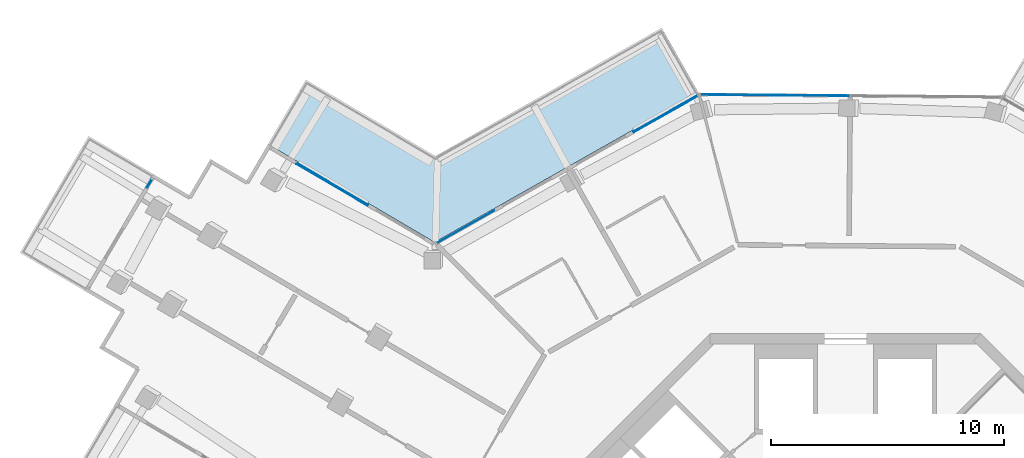
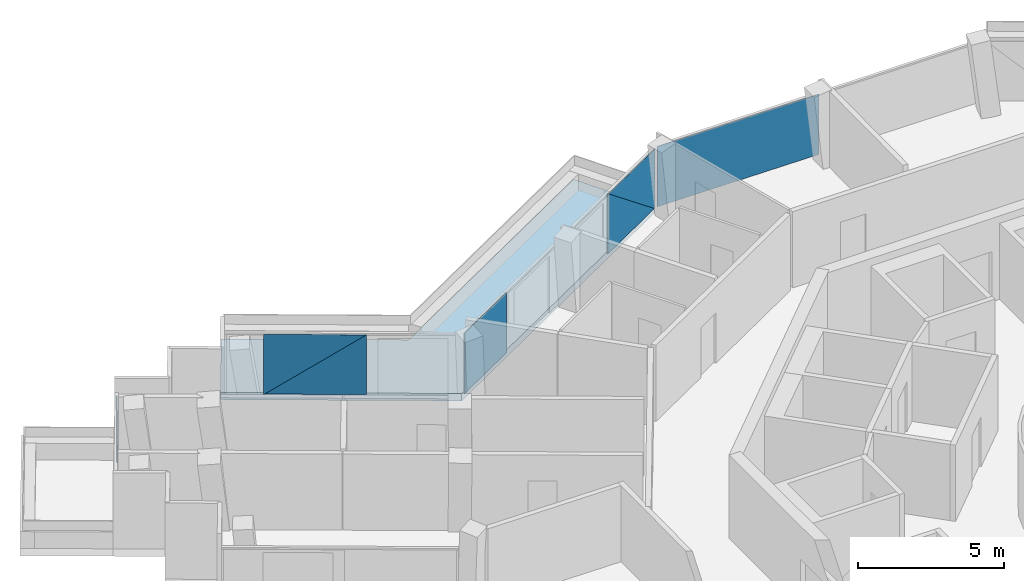
# One storey, part 13 of 24: 7 plates, 1 slab, 4 elements without a shape of their own.
"""IFC4 building model written with IfcOpenShell, lengths in metres."""

from ifc_helpers import new_model, si_unit, direction, frame, origin, origin_2d, place, context, subcontext, project, spatial, polyline, rectangle, outline, extrude, material, layer, layer_set, type_object, element, aggregate, save


model = new_model("IFC4")

# Units and contexts
model_context = context("Model", 3, precision=1e-05, world=origin(), true_north=direction((0.0, 1.0)))
body_context = subcontext(model_context, "Body", "Model", "MODEL_VIEW")
ifc_project = project(units=[si_unit("LENGTHUNIT", "METRE"), si_unit("AREAUNIT", "SQUARE_METRE"), si_unit("VOLUMEUNIT", "CUBIC_METRE"), si_unit("PLANEANGLEUNIT", "RADIAN"), si_unit("MASSUNIT", "GRAM", prefix="KILO")], contexts=[model_context])

# Site, building, storey
site_placement = place(None, origin())
site = spatial("IfcSite", under=ifc_project, at=site_placement, CompositionType="ELEMENT")
building_placement = place(site_placement, origin())
building = spatial("IfcBuilding", under=site, at=building_placement, Name="Verdalira Terraces Hotel", CompositionType="ELEMENT")
storey_placement = place(building_placement, frame((0.0, 0.0, 277.5)))
storey = spatial("IfcBuildingStorey", under=building, at=storey_placement, Name="L68", CompositionType="ELEMENT", Elevation=277.5)

# Slab
ifc_material_1 = material(Name="Precast concrete C40/50", Category="concrete")
ifc_layer_1 = layer(ifc_material_1, 0.31005859375)
ifc_layer_set_1 = layer_set([ifc_layer_1], Name="Balcony deck 310")
slab_type = type_object("IfcSlabType", Name="Balcony deck 310", PredefinedType="FLOOR", material=ifc_layer_set_1)
slab_placement = place(storey_placement, frame((0.0, 0.0, -0.310059)))
element("IfcSlab", 1, at=slab_placement, inside=storey, type_object=slab_type, Name="Balcony deck", PredefinedType="FLOOR", context=body_context, shape_type="SweptSolid", body=[
    extrude(outline(polyline([(-17.577881, 21.601318), (-23.128418, 24.868164), (-24.751709, 22.110596), (-17.608887, 17.906494), (-6.296631, 24.312012), (-7.873291, 27.096436), (-17.577881, 21.601318)])), origin(), (0.0, 0.0, 1.0), 0.310059),
])

# Curtain wall, plate
ifc_material_2 = material(Name="Clear glass", Category="glass")
ifc_layer_2 = layer(ifc_material_2, 0.14990234375)
ifc_layer_set_2 = layer_set([ifc_layer_2], Name="CW1 curtain wall")
curtain_wall_type_1 = type_object("IfcCurtainWallType", Name="CW1 curtain wall", PredefinedType="NOTDEFINED", material=ifc_layer_set_2)
curtain_wall_1_placement = place(storey_placement, origin())
curtain_wall_1 = element("IfcCurtainWall", 2, at=curtain_wall_1_placement, inside=storey, type_object=curtain_wall_type_1, Name="CW1 curtain wall L68 edge 40", PredefinedType="NOTDEFINED")
ifc_material_3 = material(Name="Clear glass", Category="glass")
ifc_layer_3 = layer(ifc_material_3, 0.028076171875)
ifc_layer_set_3 = layer_set([ifc_layer_3], Name="CW1 glass unit 28")
plate_type_1 = type_object("IfcPlateType", Name="CW1 glass unit 28", PredefinedType="CURTAIN_PANEL", material=ifc_layer_set_3)
plate_1_placement = place(storey_placement, frame((-3.012207, 24.209473, 0.0), z_axis=(0.0, 0.0, 1.0), x_axis=(-0.999964908, 0.008377482, 0.0)))
plate_1 = element("IfcPlate", 3, at=plate_1_placement, type_object=plate_type_1, Name="CW1 glass unit", PredefinedType="CURTAIN_PANEL", context=body_context, shape_type="SweptSolid", body=[
    extrude(rectangle(XDim=6.369873, YDim=0.028076, at=origin_2d()), origin(), (0.0, 0.0, 1.0), 2.524902),
])
aggregate(curtain_wall_1, [plate_1])

# Curtain wall, plates
curtain_wall_2_placement = place(storey_placement, origin())
curtain_wall_2 = element("IfcCurtainWall", 4, at=curtain_wall_2_placement, inside=storey, type_object=curtain_wall_type_1, Name="CW1 curtain wall L68 edge 41", PredefinedType="NOTDEFINED")
plate_2_placement = place(storey_placement, frame((-7.710449, 23.40918, 1.262451), z_axis=(-0.492727342, 0.870183755, 0.0), x_axis=(-0.870183755, -0.492727342, 0.0)))
plate_2 = element("IfcPlate", 5, at=plate_2_placement, type_object=plate_type_1, Name="CW1 glass unit", PredefinedType="CURTAIN_PANEL", context=body_context, shape_type="SweptSolid", body=[
    extrude(outline(polyline([(-1.574951, -1.262451), (1.574951, -1.262451), (1.574951, 1.262451), (-1.574951, -1.262451)])), origin(), (0.0, 0.0, 1.0), 0.028076),
])
plate_3_placement = place(storey_placement, frame((-7.696045, 23.383789, 1.262451), z_axis=(-0.492727342, 0.870183755, 0.0), x_axis=(-0.870183755, -0.492727342, 0.0)))
plate_3 = element("IfcPlate", 6, at=plate_3_placement, type_object=plate_type_1, Name="CW1 glass unit", PredefinedType="CURTAIN_PANEL", context=body_context, shape_type="SweptSolid", body=[
    extrude(outline(polyline([(-1.574951, -1.262451), (1.574951, 1.262451), (-1.574951, 1.262451), (-1.574951, -1.262451)])), origin(), (0.0, 0.0, 1.0), 0.028076),
])
plate_4_placement = place(storey_placement, frame((-16.289062, 18.567627, 0.0), z_axis=(0.0, 0.0, 1.0), x_axis=(-0.870183755, -0.492727342, 0.0)))
plate_4 = element("IfcPlate", 7, at=plate_4_placement, type_object=plate_type_1, Name="CW1 glass unit", PredefinedType="CURTAIN_PANEL", context=body_context, shape_type="SweptSolid", body=[
    extrude(rectangle(XDim=2.828613, YDim=0.028076, at=origin_2d()), origin(), (0.0, 0.0, 1.0), 2.524902),
])
aggregate(curtain_wall_2, [plate_2, plate_3, plate_4])

ifc_material_4 = material(Name="Clear glass", Category="glass")
ifc_layer_4 = layer(ifc_material_4, 0.14990234375)
ifc_layer_set_4 = layer_set([ifc_layer_4], Name="CW2 curtain wall")
curtain_wall_type_2 = type_object("IfcCurtainWallType", Name="CW2 curtain wall", PredefinedType="NOTDEFINED", material=ifc_layer_set_4)
curtain_wall_3_placement = place(storey_placement, origin())
curtain_wall_3 = element("IfcCurtainWall", 8, at=curtain_wall_3_placement, inside=storey, type_object=curtain_wall_type_2, Name="CW2 curtain wall L68 edge 0", PredefinedType="NOTDEFINED")
ifc_material_5 = material(Name="Clear glass", Category="glass")
ifc_layer_5 = layer(ifc_material_5, 0.031982421875)
ifc_layer_set_5 = layer_set([ifc_layer_5], Name="CW2 glass unit 32")
plate_type_2 = type_object("IfcPlateType", Name="CW2 glass unit 32", PredefinedType="CURTAIN_PANEL", material=ifc_layer_set_5)
plate_5_placement = place(storey_placement, frame((-21.993408, 20.381592, 1.262451), z_axis=(0.507237567, 0.861806272, 0.0), x_axis=(-0.861806272, 0.507237567, 0.0)))
plate_5 = element("IfcPlate", 9, at=plate_5_placement, type_object=plate_type_2, Name="CW2 glass unit", PredefinedType="CURTAIN_PANEL", context=body_context, shape_type="SweptSolid", body=[
    extrude(outline(polyline([(-1.76416, -1.262451), (1.76416, -1.262451), (-1.76416, 1.262451), (-1.76416, -1.262451)])), origin(), (0.0, 0.0, 1.0), 0.031982),
])
plate_6_placement = place(storey_placement, frame((-22.010254, 20.353027, 1.262451), z_axis=(0.507237567, 0.861806272, 0.0), x_axis=(-0.861806272, 0.507237567, 0.0)))
plate_6 = element("IfcPlate", 10, at=plate_6_placement, type_object=plate_type_2, Name="CW2 glass unit", PredefinedType="CURTAIN_PANEL", context=body_context, shape_type="SweptSolid", body=[
    extrude(outline(polyline([(1.76416, -1.262451), (1.76416, 1.262451), (-1.76416, 1.262451), (1.76416, -1.262451)])), origin(), (0.0, 0.0, 1.0), 0.031982),
])
aggregate(curtain_wall_3, [plate_5, plate_6])

# Curtain wall, plate
ifc_material_6 = material(Name="Clear glass", Category="glass")
ifc_layer_6 = layer(ifc_material_6, 0.14990234375)
ifc_layer_set_6 = layer_set([ifc_layer_6], Name="CW3 curtain wall")
curtain_wall_type_3 = type_object("IfcCurtainWallType", Name="CW3 curtain wall", PredefinedType="NOTDEFINED", material=ifc_layer_set_6)
curtain_wall_4_placement = place(storey_placement, origin())
curtain_wall_4 = element("IfcCurtainWall", 11, at=curtain_wall_4_placement, inside=storey, type_object=curtain_wall_type_3, Name="CW3 curtain wall L68 edge 5", PredefinedType="NOTDEFINED")
ifc_material_7 = material(Name="Clear glass", Category="glass")
ifc_layer_7 = layer(ifc_material_7, 0.035888671875)
ifc_layer_set_7 = layer_set([ifc_layer_7], Name="CW3 glass unit 36")
plate_type_3 = type_object("IfcPlateType", Name="CW3 glass unit 36", PredefinedType="CURTAIN_PANEL", material=ifc_layer_set_7)
plate_7_placement = place(storey_placement, frame((-29.83374, 20.425537, 0.0), z_axis=(0.0, 0.0, 1.0), x_axis=(-0.507237567, -0.861806272, 0.0)))
plate_7 = element("IfcPlate", 12, at=plate_7_placement, type_object=plate_type_3, Name="CW3 glass unit", PredefinedType="CURTAIN_PANEL", context=body_context, shape_type="SweptSolid", body=[
    extrude(rectangle(XDim=0.399902, YDim=0.035889, at=origin_2d()), origin(), (0.0, 0.0, 1.0), 2.524902),
])
aggregate(curtain_wall_4, [plate_7])

save(model, "model.ifc")
